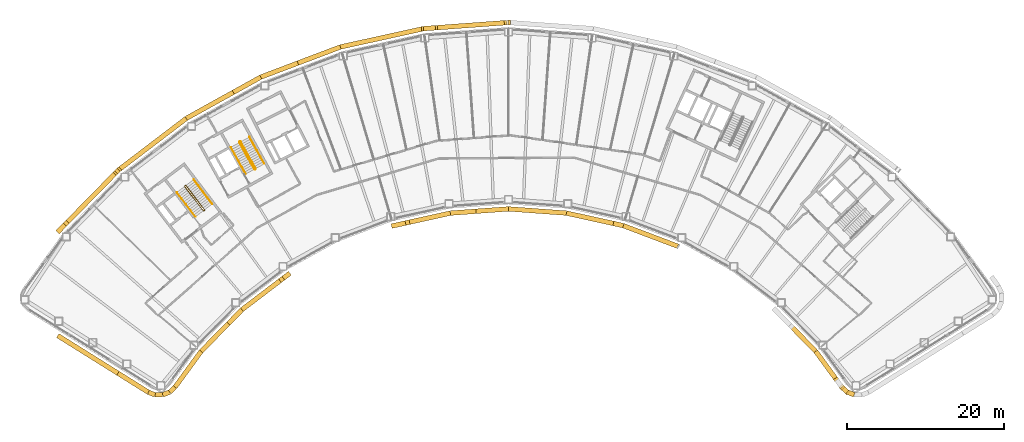
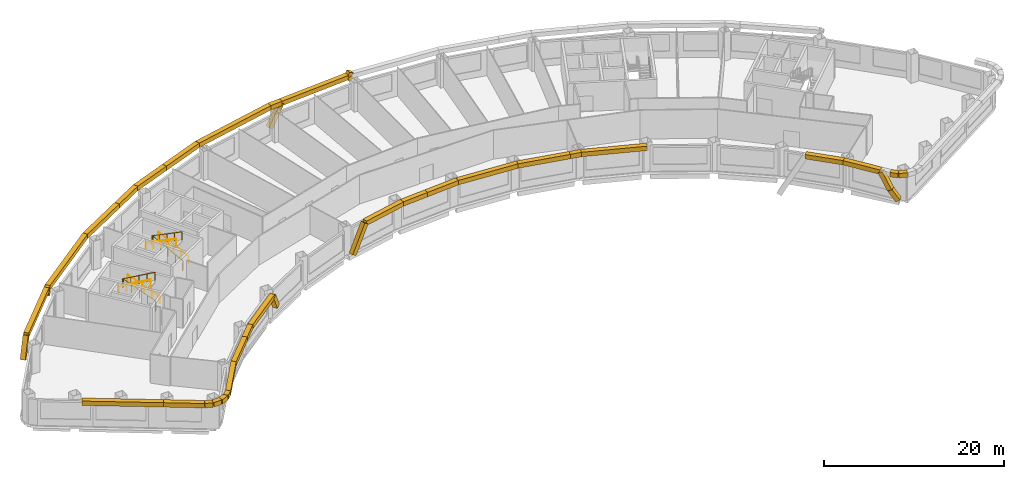
# One storey, part 10 of 11: 40 coverings, 6 railings.
"""IFC4 building model written with IfcOpenShell, lengths in metres."""

from ifc_helpers import new_model, si_unit, direction, frame, origin, origin_2d, place, context, subcontext, project, spatial, rectangle, circle, extrude, material, material_profile, profile_set, type_object, element, save


model = new_model("IFC4")

# Units and contexts
model_context = context("Model", 3, precision=1e-05, world=origin(), true_north=direction((0.0, 1.0)))
body_context = subcontext(model_context, "Body", "Model", "MODEL_VIEW")
ifc_project = project(units=[si_unit("LENGTHUNIT", "METRE"), si_unit("AREAUNIT", "SQUARE_METRE"), si_unit("VOLUMEUNIT", "CUBIC_METRE"), si_unit("PLANEANGLEUNIT", "RADIAN"), si_unit("MASSUNIT", "GRAM", prefix="KILO")], contexts=[model_context])

# Site, building, storey
site_placement = place(None, origin())
site = spatial("IfcSite", under=ifc_project, at=site_placement, CompositionType="ELEMENT")
building_placement = place(site_placement, origin())
building = spatial("IfcBuilding", under=site, at=building_placement, Name="Tuul Gate Civic Tower", CompositionType="ELEMENT")
storey_placement = place(building_placement, frame((0.0, 0.0, 142.39990234375)))
storey = spatial("IfcBuildingStorey", under=building, at=storey_placement, Name="Level 32", CompositionType="ELEMENT", Elevation=142.39990234375)

# Railings
ifc_material_1 = material(Name="Painted steel", Category="steel")
railing_type_1 = type_object("IfcRailingType", Name="Stair guard", PredefinedType="GUARDRAIL", material=ifc_material_1)
railing_1_placement = place(storey_placement, frame((-33.382080078125, -13.515380859375, 0.0)))
element("IfcRailing", 1, at=railing_1_placement, inside=storey, type_object=railing_type_1, Name="Level 32 ST-1 stair guard 1", PredefinedType="GUARDRAIL", context=body_context, shape_type="SweptSolid", body=[
    extrude(circle(Radius=0.02392578125, at=origin_2d()), frame((0.0, 0.0, 1.076171875), z_axis=(-0.795879841968, -0.605454603706, 0.0), x_axis=(0.605454603706, -0.795879841968, 0.0)), (0.0, 0.0, 1.0), 0.10009765625),
    extrude(circle(Radius=0.02392578125, at=origin_2d()), frame((-0.07958984375, -0.060546875, 1.076171875), z_axis=(0.408676696321, 0.599019267211, 0.688592241747), x_axis=(-0.826063974707, 0.563576356576, 0.0)), (0.0, 0.0, 1.0), 0.218017578125),
    extrude(circle(Radius=0.02392578125, at=origin_2d()), frame((0.009521484375, 0.070068359375, 1.22607421875), z_axis=(-0.541824460341, 0.711645023348, 0.447199748346), x_axis=(-0.795637165283, -0.60577347352, 0.0)), (0.0, 0.0, 1.0), 4.3603515625),
    extrude(circle(Radius=0.02392578125, at=origin_2d()), frame((-2.35302734375, 3.173095703125, 3.17626953125), z_axis=(-0.990893089246, 0.134650977284, 0.0), x_axis=(-0.134650977284, -0.990893089246, 0.0)), (0.0, 0.0, 1.0), 0.07080078125),
    extrude(circle(Radius=0.02392578125, at=origin_2d()), frame((-2.423095703125, 3.1826171875, 3.17626953125), z_axis=(-0.793802879778, -0.60817512943, 0.0), x_axis=(0.60817512943, -0.793802879778, 0.0)), (0.0, 0.0, 1.0), 0.099853515625),
    extrude(circle(Radius=0.02392578125, at=origin_2d()), frame((-2.50244140625, 3.121826171875, 3.17626953125), z_axis=(-0.057447065493, -0.422751481959, 0.904423031091), x_axis=(0.990893089246, -0.134650977284, 0.0)), (0.0, 0.0, 1.0), 0.165771484375),
    extrude(circle(Radius=0.02392578125, at=origin_2d()), frame((-2.511962890625, 3.0517578125, 3.326171875), z_axis=(0.541792925989, -0.711621155064, 0.447275929392), x_axis=(0.795644365679, 0.605764016233, 0.0)), (0.0, 0.0, 1.0), 4.360107421875),
    extrude(circle(Radius=0.02099609375, at=origin_2d()), origin(), (0.0, 0.0, 1.0), 1.052001953125),
    extrude(circle(Radius=0.02099609375, at=origin_2d()), frame((-0.07958984375, -0.060546875, 0.0)), (0.0, 0.0, 1.0), 1.052001953125),
    extrude(circle(Radius=0.02099609375, at=origin_2d()), frame((0.009521484375, 0.070068359375, 0.150146484375)), (0.0, 0.0, 1.0), 1.052001953125),
    extrude(circle(Radius=0.02099609375, at=origin_2d()), frame((-0.5810546875, 0.845703125, 0.6376953125)), (0.0, 0.0, 1.0), 1.052001953125),
    extrude(circle(Radius=0.02099609375, at=origin_2d()), frame((-1.171875, 1.62158203125, 1.125)), (0.0, 0.0, 1.0), 1.052001953125),
    extrude(circle(Radius=0.02099609375, at=origin_2d()), frame((-1.762451171875, 2.3974609375, 1.612548828125)), (0.0, 0.0, 1.0), 1.052001953125),
    extrude(circle(Radius=0.02099609375, at=origin_2d()), frame((-2.35302734375, 3.173095703125, 2.10009765625)), (0.0, 0.0, 1.0), 1.052001953125),
    extrude(circle(Radius=0.02099609375, at=origin_2d()), frame((-2.423095703125, 3.1826171875, 2.10009765625)), (0.0, 0.0, 1.0), 1.052001953125),
    extrude(circle(Radius=0.02099609375, at=origin_2d()), frame((-2.50244140625, 3.121826171875, 2.10009765625)), (0.0, 0.0, 1.0), 1.052001953125),
    extrude(circle(Radius=0.02099609375, at=origin_2d()), frame((-2.511962890625, 3.0517578125, 2.25)), (0.0, 0.0, 1.0), 1.052001953125),
    extrude(circle(Radius=0.02099609375, at=origin_2d()), frame((-1.92138671875, 2.276123046875, 2.737548828125)), (0.0, 0.0, 1.0), 1.052001953125),
    extrude(circle(Radius=0.02099609375, at=origin_2d()), frame((-1.330810546875, 1.50048828125, 3.22509765625)), (0.0, 0.0, 1.0), 1.052001953125),
    extrude(circle(Radius=0.02099609375, at=origin_2d()), frame((-0.740234375, 0.724609375, 3.712646484375)), (0.0, 0.0, 1.0), 1.052001953125),
    extrude(circle(Radius=0.02099609375, at=origin_2d()), frame((-0.149658203125, -0.051025390625, 4.2001953125)), (0.0, 0.0, 1.0), 1.052001953125),
])
railing_2_placement = place(storey_placement, frame((-26.857666015625, -8.247314453125, 0.0)))
element("IfcRailing", 2, at=railing_2_placement, inside=storey, type_object=railing_type_1, Name="Level 32 ST-2 stair guard 1", PredefinedType="GUARDRAIL", context=body_context, shape_type="SweptSolid", body=[
    extrude(circle(Radius=0.02392578125, at=origin_2d()), frame((0.0, 0.0, 1.076171875), z_axis=(-0.874616555828, -0.48481530532, 0.0), x_axis=(0.48481530532, -0.874616555828, 0.0)), (0.0, 0.0, 1.0), 0.10009765625),
    extrude(circle(Radius=0.02392578125, at=origin_2d()), frame((-0.087646484375, -0.048583984375, 1.076171875), z_axis=(0.490435707169, 0.534104639999, 0.688625479244), x_axis=(-0.736576986774, 0.676353711126, 0.0)), (0.0, 0.0, 1.0), 0.218017578125),
    extrude(circle(Radius=0.02392578125, at=origin_2d()), frame((0.019287109375, 0.06787109375, 1.22607421875), z_axis=(-0.43354991378, 0.782327185242, 0.447212083348), x_axis=(-0.874667644053, -0.484723129681, 0.0)), (0.0, 0.0, 1.0), 4.3603515625),
    extrude(circle(Radius=0.02392578125, at=origin_2d()), frame((-1.87109375, 3.47900390625, 3.17626953125), z_axis=(-0.961263487578, 0.275631107549, 0.0), x_axis=(-0.275631107549, -0.961263487578, 0.0)), (0.0, 0.0, 1.0), 0.07080078125),
    extrude(circle(Radius=0.02392578125, at=origin_2d()), frame((-1.939208984375, 3.49853515625, 3.17626953125), z_axis=(-0.874042088414, -0.485850211157, 0.0), x_axis=(0.485850211157, -0.874042088414, 0.0)), (0.0, 0.0, 1.0), 0.10009765625),
    extrude(circle(Radius=0.02392578125, at=origin_2d()), frame((-2.026611328125, 3.449951171875, 3.17626953125), z_axis=(-0.117866478395, -0.409586012422, 0.90462522168), x_axis=(0.961000426733, -0.276546885391, 0.0)), (0.0, 0.0, 1.0), 0.165771484375),
    extrude(circle(Radius=0.02392578125, at=origin_2d()), frame((-2.046142578125, 3.382080078125, 3.326171875), z_axis=(0.433584522764, -0.782288604346, 0.447246018574), x_axis=(0.874641102302, 0.484771020343, 0.0)), (0.0, 0.0, 1.0), 4.3603515625),
    extrude(circle(Radius=0.02099609375, at=origin_2d()), origin(), (0.0, 0.0, 1.0), 1.052001953125),
    extrude(circle(Radius=0.02099609375, at=origin_2d()), frame((-0.087646484375, -0.048583984375, 0.0)), (0.0, 0.0, 1.0), 1.052001953125),
    extrude(circle(Radius=0.02099609375, at=origin_2d()), frame((0.019287109375, 0.06787109375, 0.150146484375)), (0.0, 0.0, 1.0), 1.052001953125),
    extrude(circle(Radius=0.02099609375, at=origin_2d()), frame((-0.453369140625, 0.920654296875, 0.6376953125)), (0.0, 0.0, 1.0), 1.052001953125),
    extrude(circle(Radius=0.02099609375, at=origin_2d()), frame((-0.92578125, 1.7734375, 1.125)), (0.0, 0.0, 1.0), 1.052001953125),
    extrude(circle(Radius=0.02099609375, at=origin_2d()), frame((-1.3984375, 2.626220703125, 1.612548828125)), (0.0, 0.0, 1.0), 1.052001953125),
    extrude(circle(Radius=0.02099609375, at=origin_2d()), frame((-1.87109375, 3.47900390625, 2.10009765625)), (0.0, 0.0, 1.0), 1.052001953125),
    extrude(circle(Radius=0.02099609375, at=origin_2d()), frame((-1.939208984375, 3.49853515625, 2.10009765625)), (0.0, 0.0, 1.0), 1.052001953125),
    extrude(circle(Radius=0.02099609375, at=origin_2d()), frame((-2.026611328125, 3.449951171875, 2.10009765625)), (0.0, 0.0, 1.0), 1.052001953125),
    extrude(circle(Radius=0.02099609375, at=origin_2d()), frame((-2.046142578125, 3.382080078125, 2.25)), (0.0, 0.0, 1.0), 1.052001953125),
    extrude(circle(Radius=0.02099609375, at=origin_2d()), frame((-1.573486328125, 2.529296875, 2.737548828125)), (0.0, 0.0, 1.0), 1.052001953125),
    extrude(circle(Radius=0.02099609375, at=origin_2d()), frame((-1.100830078125, 1.676513671875, 3.22509765625)), (0.0, 0.0, 1.0), 1.052001953125),
    extrude(circle(Radius=0.02099609375, at=origin_2d()), frame((-0.628173828125, 0.82373046875, 3.712646484375)), (0.0, 0.0, 1.0), 1.052001953125),
    extrude(circle(Radius=0.02099609375, at=origin_2d()), frame((-0.155517578125, -0.029052734375, 4.2001953125)), (0.0, 0.0, 1.0), 1.052001953125),
])
ifc_material_2 = material(Name="Painted steel", Category="steel")
railing_type_2 = type_object("IfcRailingType", Name="Stair handrail", PredefinedType="HANDRAIL", material=ifc_material_2)
railing_3_placement = place(storey_placement, frame((-32.3779296875, -12.688232421875, 0.150146484375)))
element("IfcRailing", 3, at=railing_3_placement, inside=storey, type_object=railing_type_2, Name="Level 32 ST-1 stair handrail 1", PredefinedType="HANDRAIL", context=body_context, shape_type="SweptSolid", body=[
    extrude(circle(Radius=0.02392578125, at=origin_2d()), frame((0.0, 0.0, 0.8759765625), z_axis=(-0.541824460341, 0.711645023348, 0.447199748346), x_axis=(-0.795637165283, -0.60577347352, 0.0)), (0.0, 0.0, 1.0), 4.3603515625),
    extrude(circle(Radius=0.02099609375, at=origin_2d()), origin(), (0.0, 0.0, 1.0), 0.851806640625),
    extrude(circle(Radius=0.02099609375, at=origin_2d()), frame((-0.590576171875, 0.77587890625, 0.487548828125)), (0.0, 0.0, 1.0), 0.851806640625),
    extrude(circle(Radius=0.02099609375, at=origin_2d()), frame((-1.18115234375, 1.551513671875, 0.97509765625)), (0.0, 0.0, 1.0), 0.851806640625),
    extrude(circle(Radius=0.02099609375, at=origin_2d()), frame((-1.77197265625, 2.3271484375, 1.46240234375)), (0.0, 0.0, 1.0), 0.851806640625),
    extrude(circle(Radius=0.02099609375, at=origin_2d()), frame((-2.362548828125, 3.10302734375, 1.949951171875)), (0.0, 0.0, 1.0), 0.851806640625),
])
railing_4_placement = place(storey_placement, frame((-36.888671875, -11.220703125, 2.25)))
element("IfcRailing", 4, at=railing_4_placement, inside=storey, type_object=railing_type_2, Name="Level 32 ST-1 stair handrail 2", PredefinedType="HANDRAIL", context=body_context, shape_type="SweptSolid", body=[
    extrude(circle(Radius=0.02392578125, at=origin_2d()), frame((0.0, 0.0, 0.8759765625), z_axis=(0.541810893183, -0.711627203922, 0.44724454012), x_axis=(0.795637165283, 0.60577347352, 0.0)), (0.0, 0.0, 1.0), 4.3603515625),
    extrude(circle(Radius=0.02099609375, at=origin_2d()), origin(), (0.0, 0.0, 1.0), 0.851806640625),
    extrude(circle(Radius=0.02099609375, at=origin_2d()), frame((0.590576171875, -0.77587890625, 0.487548828125)), (0.0, 0.0, 1.0), 0.851806640625),
    extrude(circle(Radius=0.02099609375, at=origin_2d()), frame((1.18115234375, -1.551513671875, 0.97509765625)), (0.0, 0.0, 1.0), 0.851806640625),
    extrude(circle(Radius=0.02099609375, at=origin_2d()), frame((1.77197265625, -2.3271484375, 1.462646484375)), (0.0, 0.0, 1.0), 0.851806640625),
    extrude(circle(Radius=0.02099609375, at=origin_2d()), frame((2.362548828125, -3.10302734375, 1.9501953125)), (0.0, 0.0, 1.0), 0.851806640625),
])
railing_5_placement = place(storey_placement, frame((-25.744873046875, -7.573486328125, 0.150146484375)))
element("IfcRailing", 5, at=railing_5_placement, inside=storey, type_object=railing_type_2, Name="Level 32 ST-2 stair handrail 1", PredefinedType="HANDRAIL", context=body_context, shape_type="SweptSolid", body=[
    extrude(circle(Radius=0.02392578125, at=origin_2d()), frame((0.0, 0.0, 0.8759765625), z_axis=(-0.433595379963, 0.782308193291, 0.447201226726), x_axis=(-0.874641102302, -0.484771020343, 0.0)), (0.0, 0.0, 1.0), 4.3603515625),
    extrude(circle(Radius=0.02099609375, at=origin_2d()), origin(), (0.0, 0.0, 1.0), 0.851806640625),
    extrude(circle(Radius=0.02099609375, at=origin_2d()), frame((-0.47265625, 0.852783203125, 0.487548828125)), (0.0, 0.0, 1.0), 0.851806640625),
    extrude(circle(Radius=0.02099609375, at=origin_2d()), frame((-0.9453125, 1.70556640625, 0.97509765625)), (0.0, 0.0, 1.0), 0.851806640625),
    extrude(circle(Radius=0.02099609375, at=origin_2d()), frame((-1.41796875, 2.558349609375, 1.46240234375)), (0.0, 0.0, 1.0), 0.851806640625),
    extrude(circle(Radius=0.02099609375, at=origin_2d()), frame((-1.890625, 3.4111328125, 1.949951171875)), (0.0, 0.0, 1.0), 0.851806640625),
])
railing_6_placement = place(storey_placement, frame((-29.9970703125, -5.47119140625, 2.25)))
element("IfcRailing", 6, at=railing_6_placement, inside=storey, type_object=railing_type_2, Name="Level 32 ST-2 stair handrail 2", PredefinedType="HANDRAIL", context=body_context, shape_type="SweptSolid", body=[
    extrude(circle(Radius=0.02392578125, at=origin_2d()), frame((0.0, 0.0, 0.8759765625), z_axis=(0.433584522764, -0.782288604346, 0.447246018574), x_axis=(0.874641102302, 0.484771020343, 0.0)), (0.0, 0.0, 1.0), 4.3603515625),
    extrude(circle(Radius=0.02099609375, at=origin_2d()), origin(), (0.0, 0.0, 1.0), 0.851806640625),
    extrude(circle(Radius=0.02099609375, at=origin_2d()), frame((0.47265625, -0.852783203125, 0.487548828125)), (0.0, 0.0, 1.0), 0.851806640625),
    extrude(circle(Radius=0.02099609375, at=origin_2d()), frame((0.9453125, -1.70556640625, 0.97509765625)), (0.0, 0.0, 1.0), 0.851806640625),
    extrude(circle(Radius=0.02099609375, at=origin_2d()), frame((1.41796875, -2.558349609375, 1.462646484375)), (0.0, 0.0, 1.0), 0.851806640625),
    extrude(circle(Radius=0.02099609375, at=origin_2d()), frame((1.890625, -3.4111328125, 1.9501953125)), (0.0, 0.0, 1.0), 0.851806640625),
])

# Coverings
ifc_material_3 = material(Name="Terracotta baguette", Category="masonry")
ifc_material_profile = material_profile(ifc_material_3, rectangle(XDim=0.60009765625, YDim=0.60009765625, at=origin_2d()), Name="Terracotta baguette screen frame")
ifc_profile_set = profile_set([ifc_material_profile], Name="Terracotta baguette")
covering_type = type_object("IfcCoveringType", Name="Terracotta baguette screen frame", PredefinedType="CLADDING", material=ifc_profile_set)
for number, where, z_axis, x_axis, name in (
    (7, (5.3740234375, 10.43505859375, 4.348876953125), (-0.473792597788, -0.034457643475, -0.879962070255), (0.072535695779, -0.997365816959, 0.0), "Baguette 70"),
    (8, (5.10546875, 10.41552734375, 3.85009765625), (0.473792597788, 0.034457643475, -0.879962070255), (-0.072535695779, 0.997365816959, 0.0), "Baguette 73"),
):
    element("IfcCovering", number, at=place(storey_placement, frame(where, z_axis=z_axis, x_axis=x_axis)), inside=storey, type_object=covering_type, Name=name, PredefinedType="CLADDING", context=body_context, shape_type="SweptSolid", body=[
        extrude(rectangle(XDim=0.60009765625, YDim=0.60009765625, at=origin_2d()), origin(), (0.0, 0.0, 1.0), 0.56689453125),
    ])
covering_1_placement = place(storey_placement, frame((5.10546875, 10.41552734375, 3.85009765625), z_axis=(-0.997386341974, -0.072252922734, 0.0), x_axis=(0.072252922734, -0.997386341974, 0.0)))
element("IfcCovering", 9, at=covering_1_placement, inside=storey, type_object=covering_type, Name="Baguette 75", PredefinedType="CLADDING", context=body_context, shape_type="SweptSolid", body=[
    extrude(rectangle(XDim=0.60009765625, YDim=0.60009765625, at=origin_2d()), origin(), (0.0, 0.0, 1.0), 9.072509765625),
])
covering_2_placement = place(storey_placement, frame((-3.943359375, 9.760009765625, 3.85009765625), z_axis=(-0.473958579219, -0.034288001027, -0.879879308866), x_axis=(0.072155305808, -0.997393408763, 0.0)))
element("IfcCovering", 10, at=covering_2_placement, inside=storey, type_object=covering_type, Name="Baguette 79", PredefinedType="CLADDING", context=body_context, shape_type="SweptSolid", body=[
    extrude(rectangle(XDim=0.60009765625, YDim=0.60009765625, at=origin_2d()), origin(), (0.0, 0.0, 1.0), 3.175537109375),
])
covering_3_placement = place(storey_placement, frame((-21.4560546875, 5.26953125, 3.85009765625), z_axis=(-0.935345299658, -0.353736017969, 0.0), x_axis=(0.353736017969, -0.935345299658, 0.0)))
element("IfcCovering", 11, at=covering_3_placement, inside=storey, type_object=covering_type, Name="Baguette 96", PredefinedType="CLADDING", context=body_context, shape_type="SweptSolid", body=[
    extrude(rectangle(XDim=0.60009765625, YDim=0.60009765625, at=origin_2d()), origin(), (0.0, 0.0, 1.0), 5.066650390625),
])
covering_4_placement = place(storey_placement, frame((-26.195068359375, 3.477294921875, 3.85009765625), z_axis=(-0.874642685477, -0.484768163911, 0.0), x_axis=(0.484768163911, -0.874642685477, 0.0)))
element("IfcCovering", 12, at=covering_4_placement, inside=storey, type_object=covering_type, Name="Baguette 97", PredefinedType="CLADDING", context=body_context, shape_type="SweptSolid", body=[
    extrude(rectangle(XDim=0.60009765625, YDim=0.60009765625, at=origin_2d()), origin(), (0.0, 0.0, 1.0), 4.005859375),
])
covering_5_placement = place(storey_placement, frame((-44.63330078125, -8.677001953125, 3.85009765625), z_axis=(0.33274382455, 0.339217439813, -0.87989378663), x_axis=(-0.713885857337, 0.700262081434, 0.0)))
element("IfcCovering", 13, at=covering_5_placement, inside=storey, type_object=covering_type, Name="Baguette 115", PredefinedType="CLADDING", context=body_context, shape_type="SweptSolid", body=[
    extrude(rectangle(XDim=0.60009765625, YDim=0.60009765625, at=origin_2d()), origin(), (0.0, 0.0, 1.0), 0.94287109375),
])
covering_6_placement = place(storey_placement, frame((-44.63330078125, -8.677001953125, 3.85009765625), z_axis=(-0.700034819682, -0.714108711075, 0.0), x_axis=(0.714108711075, -0.700034819682, 0.0)))
element("IfcCovering", 14, at=covering_6_placement, inside=storey, type_object=covering_type, Name="Baguette 117", PredefinedType="CLADDING", context=body_context, shape_type="SweptSolid", body=[
    extrude(rectangle(XDim=0.60009765625, YDim=0.60009765625, at=origin_2d()), origin(), (0.0, 0.0, 1.0), 9.072509765625),
])
covering_7_placement = place(storey_placement, frame((-50.984375, -15.15576171875, 3.85009765625), z_axis=(-0.332603463644, -0.339318321196, -0.879907957046), x_axis=(0.714137600713, -0.700005348013, 0.0)))
element("IfcCovering", 15, at=covering_7_placement, inside=storey, type_object=covering_type, Name="Baguette 121", PredefinedType="CLADDING", context=body_context, shape_type="SweptSolid", body=[
    extrude(rectangle(XDim=0.60009765625, YDim=0.60009765625, at=origin_2d()), origin(), (0.0, 0.0, 1.0), 2.799560546875),
])
covering_8_placement = place(storey_placement, frame((-52.0712890625, -29.478515625, 3.85009765625), z_axis=(0.848051326016, -0.529914095342, 0.0), x_axis=(0.529914095342, 0.848051326016, 0.0)))
element("IfcCovering", 16, at=covering_8_placement, inside=storey, type_object=covering_type, Name="Baguette 150", PredefinedType="CLADDING", context=body_context, shape_type="SweptSolid", body=[
    extrude(rectangle(XDim=0.60009765625, YDim=0.60009765625, at=origin_2d()), origin(), (0.0, 0.0, 1.0), 9.052978515625),
])
covering_9_placement = place(storey_placement, frame((-30.33349609375, -27.94580078125, 3.85009765625), z_axis=(0.70003698075, 0.714106592591, 0.0), x_axis=(-0.714106592591, 0.70003698075, 0.0)))
element("IfcCovering", 17, at=covering_9_placement, inside=storey, type_object=covering_type, Name="Baguette 181", PredefinedType="CLADDING", context=body_context, shape_type="SweptSolid", body=[
    extrude(rectangle(XDim=0.60009765625, YDim=0.60009765625, at=origin_2d()), origin(), (0.0, 0.0, 1.0), 2.4814453125),
])
covering_10_placement = place(storey_placement, frame((-28.596435546875, -26.173828125, 3.85009765625), z_axis=(0.795568060783, 0.60586422626, 0.0), x_axis=(-0.60586422626, 0.795568060783, 0.0)))
element("IfcCovering", 18, at=covering_10_placement, inside=storey, type_object=covering_type, Name="Baguette 182", PredefinedType="CLADDING", context=body_context, shape_type="SweptSolid", body=[
    extrude(rectangle(XDim=0.60009765625, YDim=0.60009765625, at=origin_2d()), origin(), (0.0, 0.0, 1.0), 6.370361328125),
])
covering_11_placement = place(storey_placement, frame((-23.5283203125, -22.314208984375, 3.85009765625), z_axis=(0.370950327422, 0.282395987396, -0.884674155205), x_axis=(-0.605727180009, 0.7956724096, 0.0)))
element("IfcCovering", 19, at=covering_11_placement, inside=storey, type_object=covering_type, Name="Baguette 186", PredefinedType="CLADDING", context=body_context, shape_type="SweptSolid", body=[
    extrude(rectangle(XDim=0.60009765625, YDim=0.60009765625, at=origin_2d()), origin(), (0.0, 0.0, 1.0), 2.246826171875),
])
covering_12_placement = place(storey_placement, frame((-7.490478515625, -15.06787109375, 3.85009765625), z_axis=(-0.45525372734, -0.100327094931, -0.8846911991), x_axis=(0.215212210255, -0.976567306721, 0.0)))
element("IfcCovering", 20, at=covering_12_placement, inside=storey, type_object=covering_type, Name="Baguette 204", PredefinedType="CLADDING", context=body_context, shape_type="SweptSolid", body=[
    extrude(rectangle(XDim=0.60009765625, YDim=0.60009765625, at=origin_2d()), origin(), (0.0, 0.0, 1.0), 3.90576171875),
])
covering_13_placement = place(storey_placement, frame((-7.490478515625, -15.06787109375, 3.85009765625), z_axis=(0.976556146559, 0.21526284542, 0.0), x_axis=(-0.21526284542, 0.976556146559, 0.0)))
element("IfcCovering", 21, at=covering_13_placement, inside=storey, type_object=covering_type, Name="Baguette 206", PredefinedType="CLADDING", context=body_context, shape_type="SweptSolid", body=[
    extrude(rectangle(XDim=0.60009765625, YDim=0.60009765625, at=origin_2d()), origin(), (0.0, 0.0, 1.0), 5.596923828125),
])
covering_14_placement = place(storey_placement, frame((-2.024658203125, -13.863037109375, 3.85009765625), z_axis=(0.997387772907, 0.072233167279, 0.0), x_axis=(-0.072233167279, 0.997387772907, 0.0)))
element("IfcCovering", 22, at=covering_14_placement, inside=storey, type_object=covering_type, Name="Baguette 207", PredefinedType="CLADDING", context=body_context, shape_type="SweptSolid", body=[
    extrude(rectangle(XDim=0.60009765625, YDim=0.60009765625, at=origin_2d()), origin(), (0.0, 0.0, 1.0), 3.2548828125),
])
covering_15_placement = place(storey_placement, frame((18.751708984375, -15.180908203125, 3.85009765625), z_axis=(0.976558162371, -0.215253700333, 0.0), x_axis=(0.215253700333, 0.976558162371, 0.0)))
element("IfcCovering", 23, at=covering_15_placement, inside=storey, type_object=covering_type, Name="Baguette 229", PredefinedType="CLADDING", context=body_context, shape_type="SweptSolid", body=[
    extrude(rectangle(XDim=0.60009765625, YDim=0.60009765625, at=origin_2d()), origin(), (0.0, 0.0, 1.0), 1.295166015625),
])
covering_16_placement = place(storey_placement, frame((20.0166015625, -15.459716796875, 3.85009765625), z_axis=(0.935363965038, -0.353686659217, 0.0), x_axis=(0.353686659217, 0.935363965038, 0.0)))
element("IfcCovering", 24, at=covering_16_placement, inside=storey, type_object=covering_type, Name="Baguette 230", PredefinedType="CLADDING", context=body_context, shape_type="SweptSolid", body=[
    extrude(rectangle(XDim=0.60009765625, YDim=0.60009765625, at=origin_2d()), origin(), (0.0, 0.0, 1.0), 7.417724609375),
])
covering_17_placement = place(storey_placement, frame((41.449462890625, -28.3212890625, 3.85009765625), z_axis=(0.700042634993, -0.714101049706, 0.0), x_axis=(0.714101049706, 0.700042634993, 0.0)))
element("IfcCovering", 25, at=covering_17_placement, inside=storey, type_object=covering_type, Name="Baguette 252", PredefinedType="CLADDING", context=body_context, shape_type="SweptSolid", body=[
    extrude(rectangle(XDim=0.60009765625, YDim=0.60009765625, at=origin_2d()), origin(), (0.0, 0.0, 1.0), 4.410888671875),
])
covering_18_placement = place(storey_placement, frame((44.537353515625, -31.47119140625, 3.85009765625), z_axis=(0.589751062736, -0.80758509397, 0.0), x_axis=(0.80758509397, 0.589751062736, 0.0)))
element("IfcCovering", 26, at=covering_18_placement, inside=storey, type_object=covering_type, Name="Baguette 253", PredefinedType="CLADDING", context=body_context, shape_type="SweptSolid", body=[
    extrude(rectangle(XDim=0.60009765625, YDim=0.60009765625, at=origin_2d()), origin(), (0.0, 0.0, 1.0), 4.51904296875),
])
covering_19_placement = place(storey_placement, frame((47.202392578125, -35.12060546875, 3.85009765625), z_axis=(0.278597074614, -0.381606916432, -0.881339793353), x_axis=(0.807662774431, 0.589644675037, 0.0)))
element("IfcCovering", 27, at=covering_19_placement, inside=storey, type_object=covering_type, Name="Baguette 258", PredefinedType="CLADDING", context=body_context, shape_type="SweptSolid", body=[
    extrude(rectangle(XDim=0.60009765625, YDim=0.60009765625, at=origin_2d()), origin(), (0.0, 0.0, 1.0), 2.438720703125),
])
covering_20_placement = place(storey_placement, frame((47.8818359375, -36.05126953125, 1.70068359375), z_axis=(0.418515268248, -0.39182463935, -0.819340235947), x_axis=(0.683445771731, 0.730001285686, 0.0)))
element("IfcCovering", 28, at=covering_20_placement, inside=storey, type_object=covering_type, Name="Baguette 259", PredefinedType="CLADDING", context=body_context, shape_type="SweptSolid", body=[
    extrude(rectangle(XDim=0.60009765625, YDim=0.60009765625, at=origin_2d()), origin(), (0.0, 0.0, 1.0), 1.5732421875),
])
covering_21_placement = place(storey_placement, frame((-3.943359375, 9.760009765625, 3.85009765625), z_axis=(-0.997393408763, -0.072155305808, 0.0), x_axis=(0.072155305808, -0.997393408763, 0.0)))
element("IfcCovering", 29, at=covering_21_placement, inside=storey, type_object=covering_type, Name="Baguette 308", PredefinedType="CLADDING", context=body_context, shape_type="SweptSolid", body=[
    extrude(rectangle(XDim=0.60009765625, YDim=0.60009765625, at=origin_2d()), origin(), (0.0, 0.0, 1.0), 1.509033203125),
])
covering_22_placement = place(storey_placement, frame((-5.448486328125, 9.651123046875, 3.85009765625), z_axis=(-0.97656461026, -0.215224445611, 0.0), x_axis=(0.215224445611, -0.97656461026, 0.0)))
element("IfcCovering", 30, at=covering_22_placement, inside=storey, type_object=covering_type, Name="Baguette 309", PredefinedType="CLADDING", context=body_context, shape_type="SweptSolid", body=[
    extrude(rectangle(XDim=0.60009765625, YDim=0.60009765625, at=origin_2d()), origin(), (0.0, 0.0, 1.0), 10.851318359375),
])
covering_23_placement = place(storey_placement, frame((-16.04541015625, 7.315673828125, 3.85009765625), z_axis=(-0.935350803655, -0.353721464012, 0.0), x_axis=(0.353721464012, -0.935350803655, 0.0)))
element("IfcCovering", 31, at=covering_23_placement, inside=storey, type_object=covering_type, Name="Baguette 310", PredefinedType="CLADDING", context=body_context, shape_type="SweptSolid", body=[
    extrude(rectangle(XDim=0.60009765625, YDim=0.60009765625, at=origin_2d()), origin(), (0.0, 0.0, 1.0), 5.78466796875),
])
covering_24_placement = place(storey_placement, frame((-29.69873046875, 1.535400390625, 3.85009765625), z_axis=(-0.874617819536, -0.484813025557, 0.0), x_axis=(0.484813025557, -0.874617819536, 0.0)))
element("IfcCovering", 32, at=covering_24_placement, inside=storey, type_object=covering_type, Name="Baguette 313", PredefinedType="CLADDING", context=body_context, shape_type="SweptSolid", body=[
    extrude(rectangle(XDim=0.60009765625, YDim=0.60009765625, at=origin_2d()), origin(), (0.0, 0.0, 1.0), 6.845703125),
])
covering_25_placement = place(storey_placement, frame((-35.68603515625, -1.783447265625, 3.85009765625), z_axis=(-0.795618643442, -0.605797799771, 0.0), x_axis=(0.605797799771, -0.795618643442, 0.0)))
element("IfcCovering", 33, at=covering_25_placement, inside=storey, type_object=covering_type, Name="Baguette 314", PredefinedType="CLADDING", context=body_context, shape_type="SweptSolid", body=[
    extrude(rectangle(XDim=0.60009765625, YDim=0.60009765625, at=origin_2d()), origin(), (0.0, 0.0, 1.0), 10.851318359375),
])
covering_26_placement = place(storey_placement, frame((-44.319580078125, -8.357177734375, 3.85009765625), z_axis=(-0.700262081434, -0.713885857337, 0.0), x_axis=(0.713885857337, -0.700262081434, 0.0)))
element("IfcCovering", 34, at=covering_26_placement, inside=storey, type_object=covering_type, Name="Baguette 315", PredefinedType="CLADDING", context=body_context, shape_type="SweptSolid", body=[
    extrude(rectangle(XDim=0.60009765625, YDim=0.60009765625, at=origin_2d()), origin(), (0.0, 0.0, 1.0), 0.447998046875),
])
covering_27_placement = place(storey_placement, frame((-44.393798828125, -34.27587890625, 3.85009765625), z_axis=(0.848037242492, -0.529936633331, 0.0), x_axis=(0.529936633331, 0.848037242492, 0.0)))
element("IfcCovering", 35, at=covering_27_placement, inside=storey, type_object=covering_type, Name="Baguette 330", PredefinedType="CLADDING", context=body_context, shape_type="SweptSolid", body=[
    extrude(rectangle(XDim=0.60009765625, YDim=0.60009765625, at=origin_2d()), origin(), (0.0, 0.0, 1.0), 4.578857421875),
])
covering_28_placement = place(storey_placement, frame((-40.5107421875, -36.702392578125, 3.85009765625), z_axis=(0.93189278144, -0.362733847194, 0.0), x_axis=(0.362733847194, 0.93189278144, 0.0)))
element("IfcCovering", 36, at=covering_28_placement, inside=storey, type_object=covering_type, Name="Baguette 331", PredefinedType="CLADDING", context=body_context, shape_type="SweptSolid", body=[
    extrude(rectangle(XDim=0.60009765625, YDim=0.60009765625, at=origin_2d()), origin(), (0.0, 0.0, 1.0), 0.901123046875),
])
covering_29_placement = place(storey_placement, frame((-39.6708984375, -37.029296875, 3.85009765625), z_axis=(0.999996192163, 0.002759648297, 0.0), x_axis=(-0.002759648297, 0.999996192163, 0.0)))
element("IfcCovering", 37, at=covering_29_placement, inside=storey, type_object=covering_type, Name="Baguette 332", PredefinedType="CLADDING", context=body_context, shape_type="SweptSolid", body=[
    extrude(rectangle(XDim=0.60009765625, YDim=0.60009765625, at=origin_2d()), origin(), (0.0, 0.0, 1.0), 0.97314453125),
])
covering_30_placement = place(storey_placement, frame((-38.69775390625, -37.026611328125, 3.85009765625), z_axis=(0.929647485715, 0.36845020329, 0.0), x_axis=(-0.36845020329, 0.929647485715, 0.0)))
element("IfcCovering", 38, at=covering_30_placement, inside=storey, type_object=covering_type, Name="Baguette 333", PredefinedType="CLADDING", context=body_context, shape_type="SweptSolid", body=[
    extrude(rectangle(XDim=0.60009765625, YDim=0.60009765625, at=origin_2d()), origin(), (0.0, 0.0, 1.0), 0.97412109375),
])
covering_31_placement = place(storey_placement, frame((-37.792236328125, -36.667724609375, 3.85009765625), z_axis=(0.730001285686, 0.683445771731, 0.0), x_axis=(-0.683445771731, 0.730001285686, 0.0)))
element("IfcCovering", 39, at=covering_31_placement, inside=storey, type_object=covering_type, Name="Baguette 334", PredefinedType="CLADDING", context=body_context, shape_type="SweptSolid", body=[
    extrude(rectangle(XDim=0.60009765625, YDim=0.60009765625, at=origin_2d()), origin(), (0.0, 0.0, 1.0), 0.902099609375),
])
covering_32_placement = place(storey_placement, frame((-37.1337890625, -36.05126953125, 3.85009765625), z_axis=(0.589729447422, 0.807600878432, 0.0), x_axis=(-0.807600878432, 0.589729447422, 0.0)))
element("IfcCovering", 40, at=covering_32_placement, inside=storey, type_object=covering_type, Name="Baguette 335", PredefinedType="CLADDING", context=body_context, shape_type="SweptSolid", body=[
    extrude(rectangle(XDim=0.60009765625, YDim=0.60009765625, at=origin_2d()), origin(), (0.0, 0.0, 1.0), 5.671142578125),
])
covering_33_placement = place(storey_placement, frame((-33.789306640625, -31.47119140625, 3.85009765625), z_axis=(0.700024437116, 0.71411888887, 0.0), x_axis=(-0.71411888887, 0.700024437116, 0.0)))
element("IfcCovering", 41, at=covering_33_placement, inside=storey, type_object=covering_type, Name="Baguette 336", PredefinedType="CLADDING", context=body_context, shape_type="SweptSolid", body=[
    extrude(rectangle(XDim=0.60009765625, YDim=0.60009765625, at=origin_2d()), origin(), (0.0, 0.0, 1.0), 4.936767578125),
])
covering_34_placement = place(storey_placement, frame((1.2216796875, -13.6279296875, 3.85009765625), z_axis=(0.997382528722, 0.072305541975, 0.0), x_axis=(-0.072305541975, 0.997382528722, 0.0)))
element("IfcCovering", 42, at=covering_34_placement, inside=storey, type_object=covering_type, Name="Baguette 355", PredefinedType="CLADDING", context=body_context, shape_type="SweptSolid", body=[
    extrude(rectangle(XDim=0.60009765625, YDim=0.60009765625, at=origin_2d()), origin(), (0.0, 0.0, 1.0), 4.163330078125),
])
covering_35_placement = place(storey_placement, frame((5.3740234375, -13.326904296875, 3.85009765625), z_axis=(0.997384830366, -0.072273786091, 0.0), x_axis=(0.072273786091, 0.997384830366, 0.0)))
element("IfcCovering", 43, at=covering_35_placement, inside=storey, type_object=covering_type, Name="Baguette 356", PredefinedType="CLADDING", context=body_context, shape_type="SweptSolid", body=[
    extrude(rectangle(XDim=0.60009765625, YDim=0.60009765625, at=origin_2d()), origin(), (0.0, 0.0, 1.0), 7.41796875),
])
covering_36_placement = place(storey_placement, frame((12.772705078125, -13.863037109375, 3.85009765625), z_axis=(0.976559039251, -0.215249722086, 0.0), x_axis=(0.215249722086, 0.976559039251, 0.0)))
element("IfcCovering", 44, at=covering_36_placement, inside=storey, type_object=covering_type, Name="Baguette 357", PredefinedType="CLADDING", context=body_context, shape_type="SweptSolid", body=[
    extrude(rectangle(XDim=0.60009765625, YDim=0.60009765625, at=origin_2d()), origin(), (0.0, 0.0, 1.0), 6.12255859375),
])
covering_37_placement = place(storey_placement, frame((47.8818359375, -36.05126953125, 3.85009765625), z_axis=(0.730001285686, -0.683445771731, 0.0), x_axis=(0.683445771731, 0.730001285686, 0.0)))
element("IfcCovering", 45, at=covering_37_placement, inside=storey, type_object=covering_type, Name="Baguette 376", PredefinedType="CLADDING", context=body_context, shape_type="SweptSolid", body=[
    extrude(rectangle(XDim=0.60009765625, YDim=0.60009765625, at=origin_2d()), origin(), (0.0, 0.0, 1.0), 0.902099609375),
])
covering_38_placement = place(storey_placement, frame((48.540283203125, -36.667724609375, 3.85009765625), z_axis=(0.929647485715, -0.36845020329, 0.0), x_axis=(0.36845020329, 0.929647485715, 0.0)))
element("IfcCovering", 46, at=covering_38_placement, inside=storey, type_object=covering_type, Name="Baguette 377", PredefinedType="CLADDING", context=body_context, shape_type="SweptSolid", body=[
    extrude(rectangle(XDim=0.60009765625, YDim=0.60009765625, at=origin_2d()), origin(), (0.0, 0.0, 1.0), 0.97412109375),
])

save(model, "model.ifc")
